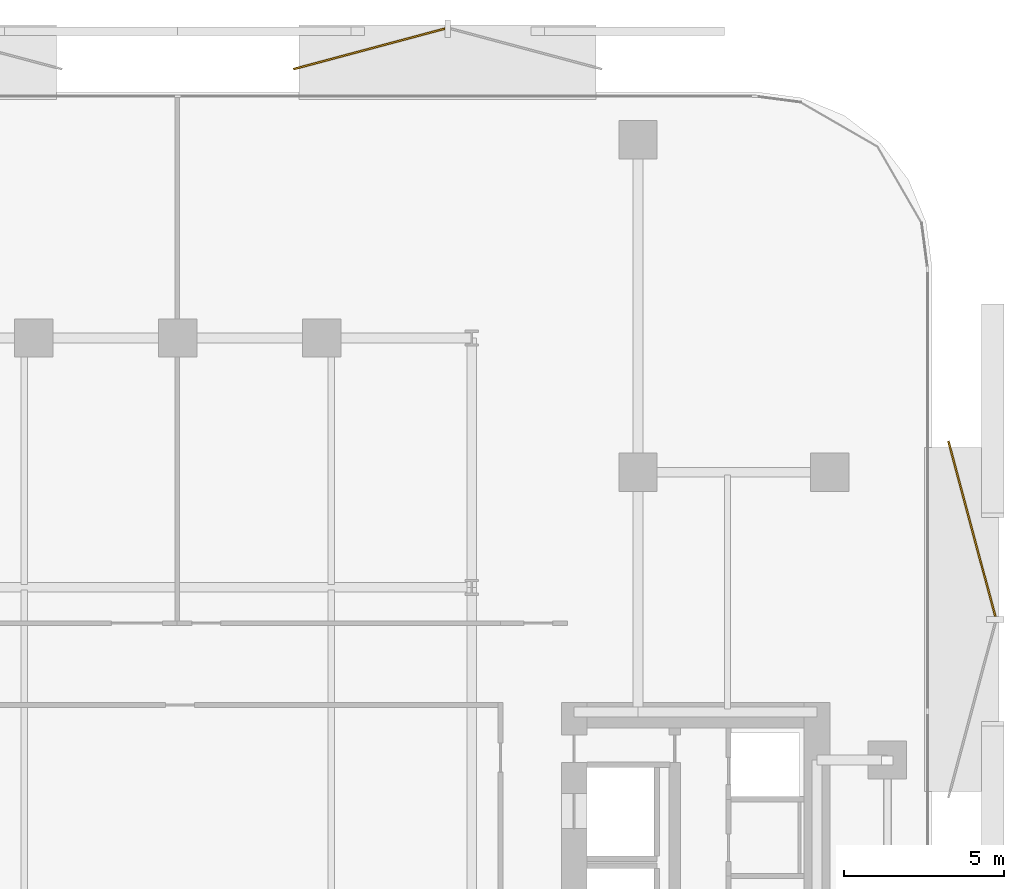
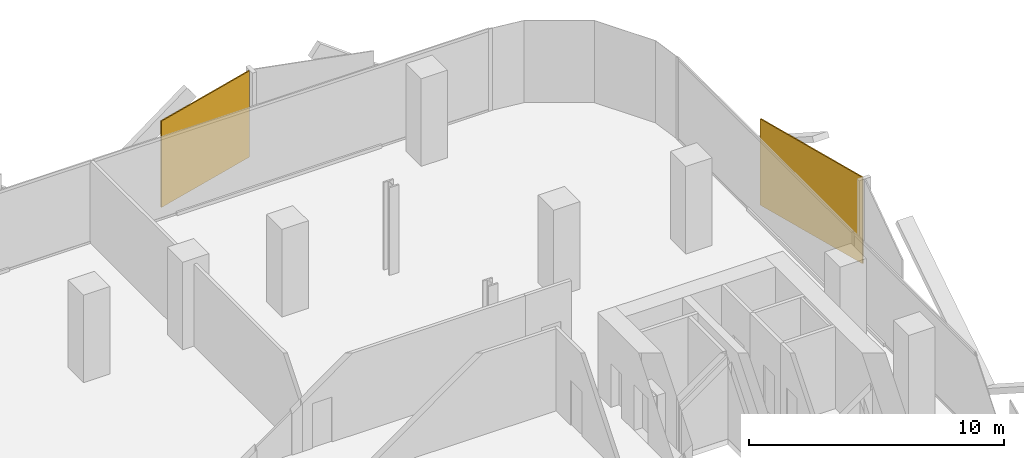
# One storey, part 14 of 14: 2 coverings.
"""IFC4 building model written with IfcOpenShell, lengths in metres."""

from ifc_helpers import new_model, si_unit, direction, frame, origin, origin_2d, place, context, subcontext, project, spatial, rectangle, extrude, material, layer, layer_set, type_object, element, save


model = new_model("IFC4")

# Units and contexts
model_context = context("Model", 3, precision=1e-05, world=origin(), true_north=direction((0.0, 1.0)))
body_context = subcontext(model_context, "Body", "Model", "MODEL_VIEW")
ifc_project = project(units=[si_unit("LENGTHUNIT", "METRE"), si_unit("AREAUNIT", "SQUARE_METRE"), si_unit("VOLUMEUNIT", "CUBIC_METRE"), si_unit("PLANEANGLEUNIT", "RADIAN"), si_unit("MASSUNIT", "GRAM", prefix="KILO")], contexts=[model_context])

# Site, building, storey
site_placement = place(None, origin())
site = spatial("IfcSite", under=ifc_project, at=site_placement, CompositionType="ELEMENT")
building_placement = place(site_placement, origin())
building = spatial("IfcBuilding", under=site, at=building_placement, Name="Khairoan Windgate Tower", CompositionType="ELEMENT")
storey_placement = place(building_placement, frame((0.0, 0.0, 93.199951171875)))
storey = spatial("IfcBuildingStorey", under=building, at=storey_placement, Name="L21", CompositionType="ELEMENT", Elevation=93.199951171875)

# Coverings
ifc_material = material(Name="Anodised Bronze Aluminium 6063-T6", Category="aluminium")
ifc_layer = layer(ifc_material, 0.054931640625, Name="Anodised Bronze Aluminium 6063-T6")
ifc_layer_set = layer_set([ifc_layer], Name="Anodised Bronze Aluminium 6063-T6")
covering_type = type_object("IfcCoveringType", Name="Perforated Bronze-Ceramic Folded Solar Screen Cladding BSC-1", PredefinedType="CLADDING", material=ifc_layer_set)
covering_1_placement = place(storey_placement, frame((5.98974609375, 27.646240234375, -0.10009765625), z_axis=(0.0, 0.0, 1.0), x_axis=(0.965925826289, 0.258819045103, 0.0)))
element("IfcCovering", 1, at=covering_1_placement, inside=storey, type_object=covering_type, Name="L21 Folded Bronze Solar Screen Facet 118L", PredefinedType="CLADDING", context=body_context, shape_type="SweptSolid", body=[
    extrude(rectangle(XDim=4.89794921875, YDim=0.054931640625, at=origin_2d()), origin(), (0.0, 0.0, 1.0), 4.139892578125),
])
covering_2_placement = place(storey_placement, frame((24.8447265625, 12.629150390625, -0.10009765625), z_axis=(0.0, 0.0, 1.0), x_axis=(0.258819045103, -0.965925826289, 0.0)))
element("IfcCovering", 2, at=covering_2_placement, inside=storey, type_object=covering_type, Name="L21 Folded Bronze Solar Screen Facet 119L", PredefinedType="CLADDING", context=body_context, shape_type="SweptSolid", body=[
    extrude(rectangle(XDim=5.680908203125, YDim=0.054931640625, at=origin_2d()), origin(), (0.0, 0.0, 1.0), 4.139892578125),
])

save(model, "model.ifc")
